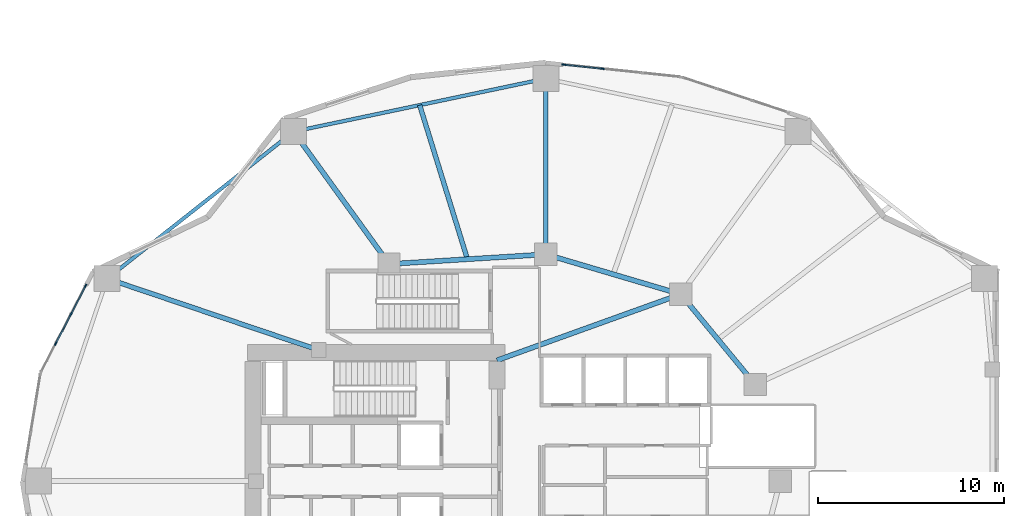
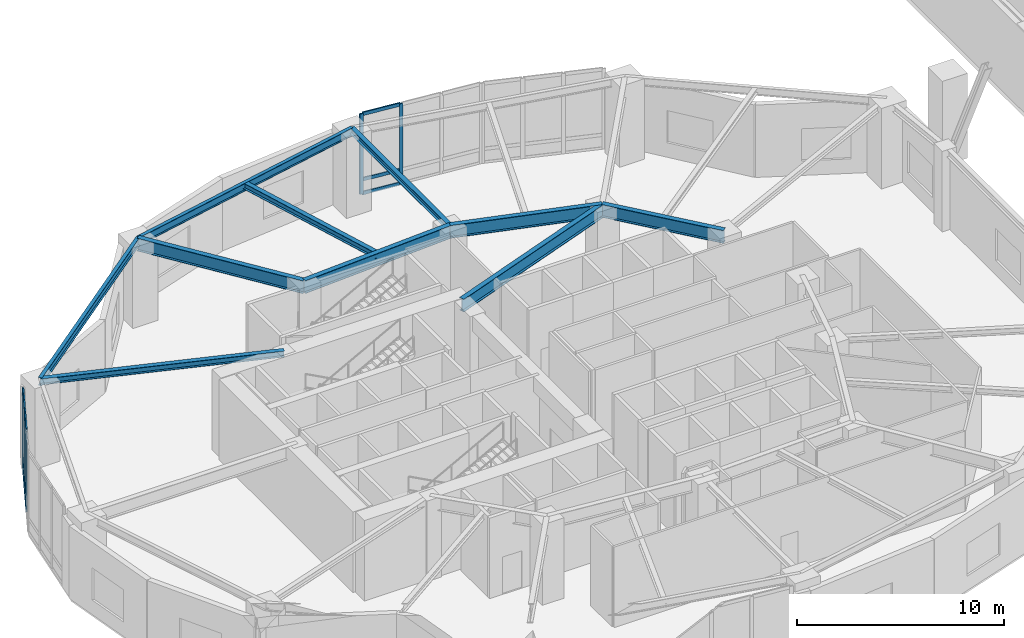
# One storey, part 5 of 21: 14 members, 10 beams, 2 elements without a shape of their own.
"""IFC4 building model written with IfcOpenShell, lengths in metres."""

from ifc_helpers import new_model, si_unit, direction, frame, origin, origin_2d, place, context, subcontext, project, spatial, rectangle, i_section, extrude, material, layer, layer_set, material_profile, profile_set, type_object, element, aggregate, save


model = new_model("IFC4")

# Units and contexts
model_context = context("Model", 3, precision=1e-05, world=origin(), true_north=direction((0.0, 1.0)))
body_context = subcontext(model_context, "Body", "Model", "MODEL_VIEW")
ifc_project = project(units=[si_unit("LENGTHUNIT", "METRE"), si_unit("AREAUNIT", "SQUARE_METRE"), si_unit("VOLUMEUNIT", "CUBIC_METRE"), si_unit("PLANEANGLEUNIT", "RADIAN"), si_unit("MASSUNIT", "GRAM", prefix="KILO")], contexts=[model_context])

# Site, building, storey
site_placement = place(None, origin())
site = spatial("IfcSite", under=ifc_project, at=site_placement, CompositionType="ELEMENT")
building_placement = place(site_placement, origin())
building = spatial("IfcBuilding", under=site, at=building_placement, Name="Kolvaren Gate Tower and Convention Centre", CompositionType="ELEMENT")
storey_placement = place(building_placement, frame((0.0, 0.0, 5.0)))
storey = spatial("IfcBuildingStorey", under=building, at=storey_placement, Name="L01", CompositionType="ELEMENT", Elevation=5.0)

# Curtain wall, members
ifc_material_1 = material(Name="Anodized Architectural Aluminium Alloy 6063-T6", Category="aluminium")
ifc_layer = layer(ifc_material_1, 0.179931640625)
ifc_layer_set = layer_set([ifc_layer], Name="Anodized Architectural Aluminium Alloy 6063-T6")
curtain_wall_type = type_object("IfcCurtainWallType", Name="CW-POD-GLZ", PredefinedType="NOTDEFINED", material=ifc_layer_set)
curtain_wall_1_placement = place(storey_placement, origin())
curtain_wall_1 = element("IfcCurtainWall", 1, at=curtain_wall_1_placement, inside=storey, type_object=curtain_wall_type, Name="Tower L01 Unitised Curtain Wall CW-POD-GLZ Bay 05", PredefinedType="NOTDEFINED")
ifc_material_profile_1 = material_profile(ifc_material_1, rectangle(XDim=0.074951171875, YDim=0.199951171875, at=origin_2d()), Name="CW-MEM-MUL-200")
ifc_profile_set_1 = profile_set([ifc_material_profile_1], Name="Anodized Architectural Aluminium Alloy 6063-T6")
member_type_1 = type_object("IfcMemberType", Name="CW-MEM-MUL-200", PredefinedType="MULLION", material=ifc_profile_set_1)
member_1_placement = place(storey_placement, frame((31.086181640625, 49.398681640625, 0.0), z_axis=(0.0, 0.0, 1.0), x_axis=(0.104748319841, 0.994498762941, 0.0)))
member_1 = element("IfcMember", 2, at=member_1_placement, type_object=member_type_1, Name="CW-01 mullion 1", PredefinedType="MULLION", context=body_context, shape_type="SweptSolid", body=[
    extrude(rectangle(XDim=0.074951171875, YDim=0.199951171875, at=origin_2d()), origin(), (0.0, 0.0, 1.0), 4.739990234375),
])
member_2_placement = place(storey_placement, frame((33.16748046875, 49.1796875, 0.0), z_axis=(0.0, 0.0, 1.0), x_axis=(0.104748319841, 0.994498762941, 0.0)))
member_2 = element("IfcMember", 3, at=member_2_placement, type_object=member_type_1, Name="CW-01 mullion 2", PredefinedType="MULLION", context=body_context, shape_type="SweptSolid", body=[
    extrude(rectangle(XDim=0.074951171875, YDim=0.199951171875, at=origin_2d()), origin(), (0.0, 0.0, 1.0), 4.739990234375),
])

curtain_wall_2_placement = place(storey_placement, origin())
curtain_wall_2 = element("IfcCurtainWall", 4, at=curtain_wall_2_placement, inside=storey, type_object=curtain_wall_type, Name="Tower L01 Unitised Curtain Wall CW-POD-GLZ Bay 10", PredefinedType="NOTDEFINED")
member_3_placement = place(storey_placement, frame((3.77197265625, 34.39501953125, 0.0), z_axis=(0.0, 0.0, 1.0), x_axis=(-0.888028058024, 0.459789264949, 0.0)))
member_3 = element("IfcMember", 5, at=member_3_placement, type_object=member_type_1, Name="CW-01 mullion 2", PredefinedType="MULLION", context=body_context, shape_type="SweptSolid", body=[
    extrude(rectangle(XDim=0.074951171875, YDim=0.199951171875, at=origin_2d()), origin(), (0.0, 0.0, 1.0), 4.739990234375),
])
member_4_placement = place(storey_placement, frame((4.585693359375, 35.96630859375, 0.0), z_axis=(0.0, 0.0, 1.0), x_axis=(-0.888028058024, 0.459789264949, 0.0)))
member_4 = element("IfcMember", 6, at=member_4_placement, type_object=member_type_1, Name="CW-01 mullion 3", PredefinedType="MULLION", context=body_context, shape_type="SweptSolid", body=[
    extrude(rectangle(XDim=0.074951171875, YDim=0.199951171875, at=origin_2d()), origin(), (0.0, 0.0, 1.0), 4.739990234375),
])
member_5_placement = place(storey_placement, frame((5.382080078125, 37.504638671875, 0.0), z_axis=(0.0, 0.0, 1.0), x_axis=(-0.888028058024, 0.459789264949, 0.0)))
member_5 = element("IfcMember", 7, at=member_5_placement, type_object=member_type_1, Name="CW-01 mullion 4", PredefinedType="MULLION", context=body_context, shape_type="SweptSolid", body=[
    extrude(rectangle(XDim=0.074951171875, YDim=0.199951171875, at=origin_2d()), origin(), (0.0, 0.0, 1.0), 4.739990234375),
])

# Member
ifc_material_profile_2 = material_profile(ifc_material_1, rectangle(XDim=0.074951171875, YDim=0.199951171875, at=origin_2d()), Name="CW-MEM-TRN-200")
ifc_profile_set_2 = profile_set([ifc_material_profile_2], Name="Anodized Architectural Aluminium Alloy 6063-T6")
member_type_2 = type_object("IfcMemberType", Name="CW-MEM-TRN-200", PredefinedType="USERDEFINED", material=ifc_profile_set_2)
member_6_placement = place(storey_placement, frame((31.12353515625, 49.394775390625, 0.03759765625), z_axis=(0.9945074418, -0.104665888448, 0.0), x_axis=(0.104665888448, 0.9945074418, 0.0)))
member_6 = element("IfcMember", 8, at=member_6_placement, type_object=member_type_2, Name="CW-01 transom 1.1", ObjectType="TRANSOM", PredefinedType="USERDEFINED", context=body_context, shape_type="SweptSolid", body=[
    extrude(rectangle(XDim=0.074951171875, YDim=0.199951171875, at=origin_2d()), origin(), (0.0, 0.0, 1.0), 2.017578125),
])

member_7_placement = place(storey_placement, frame((31.12353515625, 49.394775390625, 0.85009765625), z_axis=(0.9945074418, -0.104665888448, 0.0), x_axis=(0.104665888448, 0.9945074418, 0.0)))
member_7 = element("IfcMember", 9, at=member_7_placement, type_object=member_type_2, Name="CW-01 transom 1.2", ObjectType="TRANSOM", PredefinedType="USERDEFINED", context=body_context, shape_type="SweptSolid", body=[
    extrude(rectangle(XDim=0.074951171875, YDim=0.199951171875, at=origin_2d()), origin(), (0.0, 0.0, 1.0), 2.017578125),
])

member_8_placement = place(storey_placement, frame((31.12353515625, 49.394775390625, 4.702392578125), z_axis=(0.9945074418, -0.104665888448, 0.0), x_axis=(0.104665888448, 0.9945074418, 0.0)))
member_8 = element("IfcMember", 10, at=member_8_placement, type_object=member_type_2, Name="CW-01 transom 1.3", ObjectType="TRANSOM", PredefinedType="USERDEFINED", context=body_context, shape_type="SweptSolid", body=[
    extrude(rectangle(XDim=0.074951171875, YDim=0.199951171875, at=origin_2d()), origin(), (0.0, 0.0, 1.0), 2.017578125),
])

aggregate(curtain_wall_1, [member_1, member_2, member_6, member_7, member_8])

member_9_placement = place(storey_placement, frame((3.789306640625, 34.42822265625, 0.03759765625), z_axis=(0.459732523295, 0.888057434531, 0.0), x_axis=(-0.888057434531, 0.459732523295, 0.0)))
member_9 = element("IfcMember", 11, at=member_9_placement, type_object=member_type_2, Name="CW-01 transom 2.1", ObjectType="TRANSOM", PredefinedType="USERDEFINED", context=body_context, shape_type="SweptSolid", body=[
    extrude(rectangle(XDim=0.074951171875, YDim=0.199951171875, at=origin_2d()), origin(), (0.0, 0.0, 1.0), 1.694580078125),
])

member_10_placement = place(storey_placement, frame((3.789306640625, 34.42822265625, 0.85009765625), z_axis=(0.459732523295, 0.888057434531, 0.0), x_axis=(-0.888057434531, 0.459732523295, 0.0)))
member_10 = element("IfcMember", 12, at=member_10_placement, type_object=member_type_2, Name="CW-01 transom 2.2", ObjectType="TRANSOM", PredefinedType="USERDEFINED", context=body_context, shape_type="SweptSolid", body=[
    extrude(rectangle(XDim=0.074951171875, YDim=0.199951171875, at=origin_2d()), origin(), (0.0, 0.0, 1.0), 1.694580078125),
])

member_11_placement = place(storey_placement, frame((3.789306640625, 34.42822265625, 4.702392578125), z_axis=(0.459732523295, 0.888057434531, 0.0), x_axis=(-0.888057434531, 0.459732523295, 0.0)))
member_11 = element("IfcMember", 13, at=member_11_placement, type_object=member_type_2, Name="CW-01 transom 2.3", ObjectType="TRANSOM", PredefinedType="USERDEFINED", context=body_context, shape_type="SweptSolid", body=[
    extrude(rectangle(XDim=0.074951171875, YDim=0.199951171875, at=origin_2d()), origin(), (0.0, 0.0, 1.0), 1.694580078125),
])

member_12_placement = place(storey_placement, frame((4.602783203125, 35.999755859375, 0.03759765625), z_axis=(0.459839725039, 0.88800192977, 0.0), x_axis=(-0.88800192977, 0.459839725039, 0.0)))
member_12 = element("IfcMember", 14, at=member_12_placement, type_object=member_type_2, Name="CW-01 transom 3.1", ObjectType="TRANSOM", PredefinedType="USERDEFINED", context=body_context, shape_type="SweptSolid", body=[
    extrude(rectangle(XDim=0.074951171875, YDim=0.199951171875, at=origin_2d()), origin(), (0.0, 0.0, 1.0), 1.656982421875),
])

member_13_placement = place(storey_placement, frame((4.602783203125, 35.999755859375, 0.85009765625), z_axis=(0.459839725039, 0.88800192977, 0.0), x_axis=(-0.88800192977, 0.459839725039, 0.0)))
member_13 = element("IfcMember", 15, at=member_13_placement, type_object=member_type_2, Name="CW-01 transom 3.2", ObjectType="TRANSOM", PredefinedType="USERDEFINED", context=body_context, shape_type="SweptSolid", body=[
    extrude(rectangle(XDim=0.074951171875, YDim=0.199951171875, at=origin_2d()), origin(), (0.0, 0.0, 1.0), 1.656982421875),
])

member_14_placement = place(storey_placement, frame((4.602783203125, 35.999755859375, 4.702392578125), z_axis=(0.459839725039, 0.88800192977, 0.0), x_axis=(-0.88800192977, 0.459839725039, 0.0)))
member_14 = element("IfcMember", 16, at=member_14_placement, type_object=member_type_2, Name="CW-01 transom 3.3", ObjectType="TRANSOM", PredefinedType="USERDEFINED", context=body_context, shape_type="SweptSolid", body=[
    extrude(rectangle(XDim=0.074951171875, YDim=0.199951171875, at=origin_2d()), origin(), (0.0, 0.0, 1.0), 1.656982421875),
])

aggregate(curtain_wall_2, [member_3, member_4, member_5, member_9, member_10, member_11, member_12, member_13, member_14])

# Beams
ifc_material_2 = material(Name="Structural steel ASTM A992 Grade 345 MPa", Category="steel")
ifc_material_profile_3 = material_profile(ifc_material_2, i_section(OverallWidth=0.26806640625, OverallDepth=0.758056640625, WebThickness=0.016357421875, FlangeThickness=0.025390625, at=origin_2d()), Name="W760X220")
ifc_profile_set_3 = profile_set([ifc_material_profile_3], Name="Structural steel ASTM A992 Grade 345 MPa")
beam_type_1 = type_object("IfcBeamType", Name="STR-BM-W760X220", PredefinedType="BEAM", material=ifc_profile_set_3)
beam_1_placement = place(storey_placement, frame((41.382080078125, 32.199462890625, 4.361083984375), z_axis=(-0.635884066011, 0.771784590798, 0.0), x_axis=(-0.771784590798, -0.635884066011, 0.0)))
element("IfcBeam", 17, at=beam_1_placement, inside=storey, type_object=beam_type_1, Name="Tower L01 Primary Ring Girder G-02", PredefinedType="BEAM", context=body_context, shape_type="SweptSolid", body=[
    extrude(i_section(OverallWidth=0.26806640625, OverallDepth=0.758056640625, WebThickness=0.016357421875, FlangeThickness=0.025390625, at=origin_2d()), origin(), (0.0, 0.0, 1.0), 6.291259765625),
])
beam_2_placement = place(storey_placement, frame((37.381591796875, 37.054931640625, 4.361083984375), z_axis=(-0.958980837827, 0.283470902706, 0.0), x_axis=(-0.283470902706, -0.958980837827, 0.0)))
element("IfcBeam", 18, at=beam_2_placement, inside=storey, type_object=beam_type_1, Name="Tower L01 Primary Ring Girder G-03", PredefinedType="BEAM", context=body_context, shape_type="SweptSolid", body=[
    extrude(i_section(OverallWidth=0.26806640625, OverallDepth=0.758056640625, WebThickness=0.016357421875, FlangeThickness=0.025390625, at=origin_2d()), origin(), (0.0, 0.0, 1.0), 7.56689453125),
])
beam_3_placement = place(storey_placement, frame((30.125, 39.199951171875, 4.361083984375), z_axis=(-0.998078258568, -0.06196603726, 0.0), x_axis=(0.06196603726, -0.998078258568, 0.0)))
element("IfcBeam", 19, at=beam_3_placement, inside=storey, type_object=beam_type_1, Name="Tower L01 Primary Ring Girder G-04", PredefinedType="BEAM", context=body_context, shape_type="SweptSolid", body=[
    extrude(i_section(OverallWidth=0.26806640625, OverallDepth=0.758056640625, WebThickness=0.016357421875, FlangeThickness=0.025390625, at=origin_2d()), origin(), (0.0, 0.0, 1.0), 8.443115234375),
])
beam_4_placement = place(storey_placement, frame((27.5, 33.5, 4.361083984375), z_axis=(0.940961479908, 0.338513653093, 0.0), x_axis=(-0.338513653093, 0.940961479908, 0.0)))
element("IfcBeam", 20, at=beam_4_placement, inside=storey, type_object=beam_type_1, Name="Tower L01 Primary Ring Girder G-10", PredefinedType="BEAM", context=body_context, shape_type="SweptSolid", body=[
    extrude(i_section(OverallWidth=0.26806640625, OverallDepth=0.758056640625, WebThickness=0.016357421875, FlangeThickness=0.025390625, at=origin_2d()), origin(), (0.0, 0.0, 1.0), 10.501708984375),
])
beam_5_placement = place(storey_placement, frame((21.697998046875, 38.6767578125, 4.361083984375), z_axis=(-0.585208283095, 0.810883015852, 0.0), x_axis=(-0.810883015852, -0.585208283095, 0.0)))
element("IfcBeam", 21, at=beam_5_placement, inside=storey, type_object=beam_type_1, Name="Tower L01 Radial Floor Girder RB-05", PredefinedType="BEAM", context=body_context, shape_type="SweptSolid", body=[
    extrude(i_section(OverallWidth=0.26806640625, OverallDepth=0.758056640625, WebThickness=0.016357421875, FlangeThickness=0.025390625, at=origin_2d()), origin(), (0.0, 0.0, 1.0), 8.780029296875),
])
ifc_material_profile_4 = material_profile(ifc_material_2, i_section(OverallWidth=0.2548828125, OverallDepth=0.35693359375, WebThickness=0.010498046875, FlangeThickness=0.018310546875, at=origin_2d()), Name="W360X101")
ifc_profile_set_4 = profile_set([ifc_material_profile_4], Name="Structural steel ASTM A992 Grade 345 MPa")
beam_type_2 = type_object("IfcBeamType", Name="STR-JS-W360X101", PredefinedType="JOIST", material=ifc_profile_set_4)
beam_6_placement = place(storey_placement, frame((30.125, 39.199951171875, 4.5615234375), z_axis=(0.0, 1.0, 0.0), x_axis=(-1.0, 0.0, 0.0)))
element("IfcBeam", 22, at=beam_6_placement, inside=storey, type_object=beam_type_2, Name="Tower L01 Radial Floor Girder RB-04", PredefinedType="JOIST", context=body_context, shape_type="SweptSolid", body=[
    extrude(i_section(OverallWidth=0.2548828125, OverallDepth=0.35693359375, WebThickness=0.010498046875, FlangeThickness=0.018310546875, at=origin_2d()), origin(), (0.0, 0.0, 1.0), 9.449951171875),
])
beam_7_placement = place(storey_placement, frame((17.9140625, 34.050048828125, 4.5615234375), z_axis=(-0.947373842609, 0.320129352512, 0.0), x_axis=(-0.320129352512, -0.947373842609, 0.0)))
element("IfcBeam", 23, at=beam_7_placement, inside=storey, type_object=beam_type_2, Name="Tower L01 Radial Floor Girder RB-06", PredefinedType="JOIST", context=body_context, shape_type="SweptSolid", body=[
    extrude(i_section(OverallWidth=0.2548828125, OverallDepth=0.35693359375, WebThickness=0.010498046875, FlangeThickness=0.018310546875, at=origin_2d()), origin(), (0.0, 0.0, 1.0), 12.006103515625),
])
beam_8_placement = place(storey_placement, frame((25.91162109375, 38.938232421875, 4.5615234375), z_axis=(-0.296205333134, 0.955124285433, 0.0), x_axis=(-0.955124285433, -0.296205333134, 0.0)))
element("IfcBeam", 24, at=beam_8_placement, inside=storey, type_object=beam_type_2, Name="Tower L01 Secondary Composite Floor Joist J-04.1", PredefinedType="JOIST", context=body_context, shape_type="SweptSolid", body=[
    extrude(i_section(OverallWidth=0.2548828125, OverallDepth=0.35693359375, WebThickness=0.010498046875, FlangeThickness=0.018310546875, at=origin_2d()), origin(), (0.0, 0.0, 1.0), 8.674072265625),
])
ifc_material_profile_5 = material_profile(ifc_material_2, i_section(OverallWidth=0.194091796875, OverallDepth=0.468994140625, WebThickness=0.0126953125, FlangeThickness=0.0205078125, at=origin_2d()), Name="W460X106")
ifc_profile_set_5 = profile_set([ifc_material_profile_5], Name="Structural steel ASTM A992 Grade 345 MPa")
beam_type_3 = type_object("IfcBeamType", Name="STR-SP-W460X106", PredefinedType="SPANDREL", material=ifc_profile_set_5)
beam_9_placement = place(storey_placement, frame((30.125, 48.64990234375, 4.505615234375), z_axis=(-0.978583407863, -0.205850707685, 0.0), x_axis=(0.205850707685, -0.978583407863, 0.0)))
element("IfcBeam", 25, at=beam_9_placement, inside=storey, type_object=beam_type_3, Name="Tower L01 Perimeter Spandrel Beam SP-04", PredefinedType="SPANDREL", context=body_context, shape_type="SweptSolid", body=[
    extrude(i_section(OverallWidth=0.194091796875, OverallDepth=0.468994140625, WebThickness=0.0126953125, FlangeThickness=0.0205078125, at=origin_2d()), origin(), (0.0, 0.0, 1.0), 13.862060546875),
])
beam_10_placement = place(storey_placement, frame((16.559814453125, 45.79638671875, 4.505615234375), z_axis=(-0.785176498861, -0.619272044933, 0.0), x_axis=(0.619272044933, -0.785176498861, 0.0)))
element("IfcBeam", 26, at=beam_10_placement, inside=storey, type_object=beam_type_3, Name="Tower L01 Perimeter Spandrel Beam SP-05", PredefinedType="SPANDREL", context=body_context, shape_type="SweptSolid", body=[
    extrude(i_section(OverallWidth=0.194091796875, OverallDepth=0.468994140625, WebThickness=0.0126953125, FlangeThickness=0.0205078125, at=origin_2d()), origin(), (0.0, 0.0, 1.0), 12.761474609375),
])

save(model, "model.ifc")
